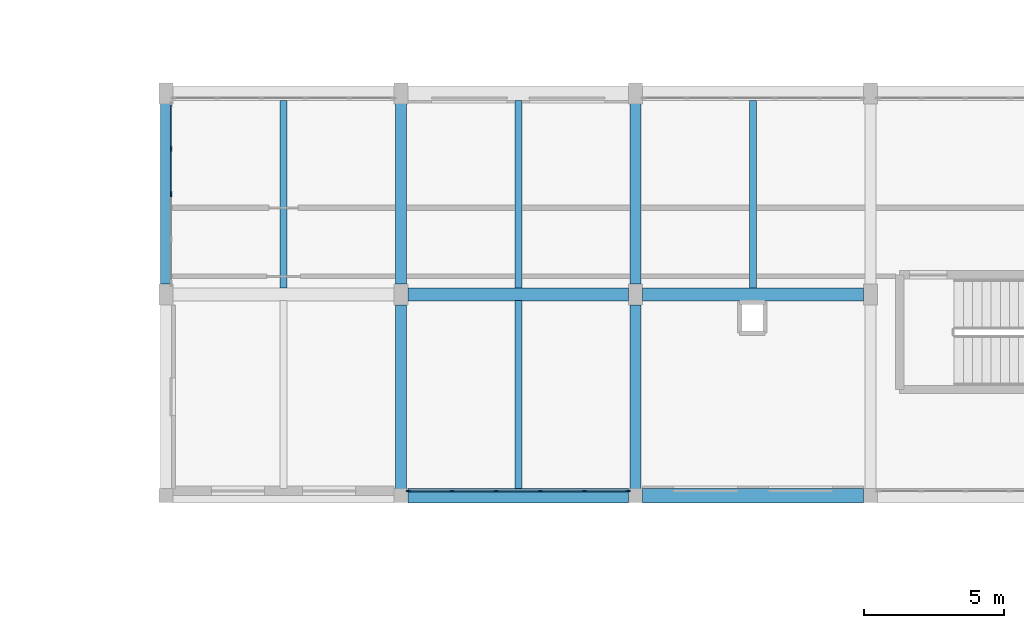
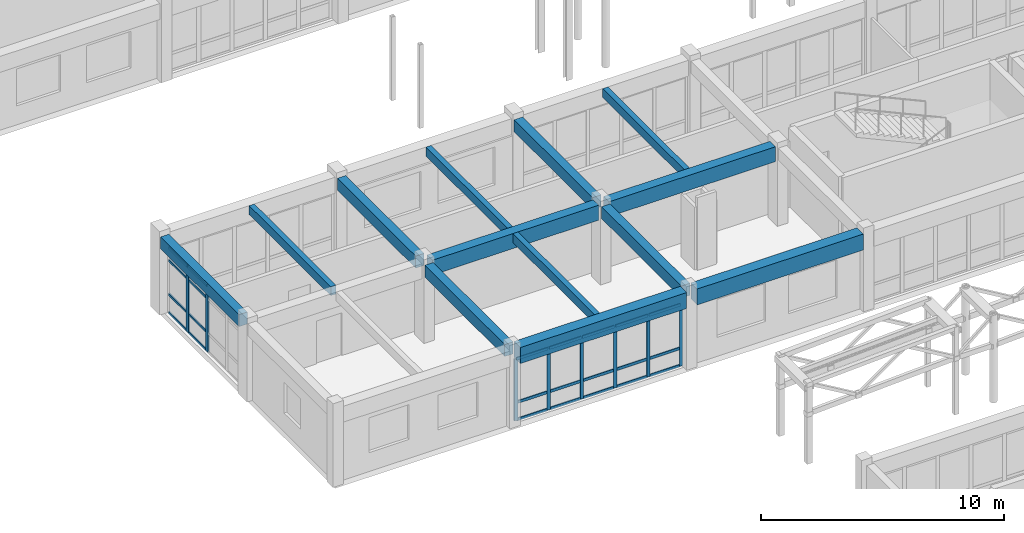
# One storey, part 36 of 147: 31 members, 13 beams, 2 elements without a shape of their own.
"""IFC4 building model written with IfcOpenShell, lengths in metres."""

from ifc_helpers import new_model, si_unit, direction, frame, origin, origin_2d, place, context, subcontext, project, spatial, rectangle, extrude, material, material_profile, profile_set, type_object, element, aggregate, save


model = new_model("IFC4")

# Units and contexts
model_context = context("Model", 3, precision=1e-05, world=origin(), true_north=direction((0.0, 1.0)))
body_context = subcontext(model_context, "Body", "Model", "MODEL_VIEW")
ifc_project = project(units=[si_unit("LENGTHUNIT", "METRE"), si_unit("AREAUNIT", "SQUARE_METRE"), si_unit("VOLUMEUNIT", "CUBIC_METRE"), si_unit("PLANEANGLEUNIT", "RADIAN"), si_unit("MASSUNIT", "GRAM", prefix="KILO")], contexts=[model_context])

# Site, building, storey
site_placement = place(None, origin())
site = spatial("IfcSite", under=ifc_project, at=site_placement, CompositionType="ELEMENT")
building_placement = place(site_placement, origin())
building = spatial("IfcBuilding", under=site, at=building_placement, Name="Malvenik Polytechnic", CompositionType="ELEMENT")
storey_placement = place(building_placement, frame((0.0, 0.0, 5.10009765625)))
storey = spatial("IfcBuildingStorey", under=building, at=storey_placement, Name="L01", CompositionType="ELEMENT", Elevation=5.10009765625)

# Curtain wall, members
ifc_material_1 = material(Name="Anodised aluminium 6060-T6", Category="aluminium")
curtain_wall_type_1 = type_object("IfcCurtainWallType", Name="ARC-CW-CW-02", PredefinedType="NOTDEFINED", material=ifc_material_1)
curtain_wall_1_placement = place(storey_placement, origin())
curtain_wall_1 = element("IfcCurtainWall", 1, at=curtain_wall_1_placement, inside=storey, type_object=curtain_wall_type_1, Name="Unitised Curtain Wall CW-02 L01 #122", PredefinedType="NOTDEFINED")
ifc_material_2 = material(Name="Anodised aluminium", Category="aluminium")
ifc_material_profile_1 = material_profile(ifc_material_2, rectangle(XDim=0.06005859375, YDim=0.159912109375, at=origin_2d()), Name="ALU MULLION 60x160")
ifc_profile_set_1 = profile_set([ifc_material_profile_1], Name="Anodised aluminium")
member_type_1 = type_object("IfcMemberType", Name="ARC-CWM-160", PredefinedType="MULLION", material=ifc_profile_set_1)
member_1_placement = place(storey_placement, frame((24.922119140625, 50.570068359375, 0.0), z_axis=(0.0, 0.0, 1.0), x_axis=(0.0, -1.0, 0.0)))
member_1 = element("IfcMember", 2, at=member_1_placement, type_object=member_type_1, Name="CW-02 mullion 1", PredefinedType="MULLION", context=body_context, shape_type="SweptSolid", body=[
    extrude(rectangle(XDim=0.06005859375, YDim=0.159912109375, at=origin_2d()), origin(), (0.0, 0.0, 1.0), 3.10986328125),
])
member_2_placement = place(storey_placement, frame((23.37109375, 50.570068359375, 0.0), z_axis=(0.0, 0.0, 1.0), x_axis=(0.0, -1.0, 0.0)))
member_2 = element("IfcMember", 3, at=member_2_placement, type_object=member_type_1, Name="CW-02 mullion 2", PredefinedType="MULLION", context=body_context, shape_type="SweptSolid", body=[
    extrude(rectangle(XDim=0.06005859375, YDim=0.159912109375, at=origin_2d()), origin(), (0.0, 0.0, 1.0), 3.10986328125),
])
member_3_placement = place(storey_placement, frame((21.790283203125, 50.570068359375, 0.0), z_axis=(0.0, 0.0, 1.0), x_axis=(0.0, -1.0, 0.0)))
member_3 = element("IfcMember", 4, at=member_3_placement, type_object=member_type_1, Name="CW-02 mullion 3", PredefinedType="MULLION", context=body_context, shape_type="SweptSolid", body=[
    extrude(rectangle(XDim=0.06005859375, YDim=0.159912109375, at=origin_2d()), origin(), (0.0, 0.0, 1.0), 3.10986328125),
])
member_4_placement = place(storey_placement, frame((20.209716796875, 50.570068359375, 0.0), z_axis=(0.0, 0.0, 1.0), x_axis=(0.0, -1.0, 0.0)))
member_4 = element("IfcMember", 5, at=member_4_placement, type_object=member_type_1, Name="CW-02 mullion 4", PredefinedType="MULLION", context=body_context, shape_type="SweptSolid", body=[
    extrude(rectangle(XDim=0.06005859375, YDim=0.159912109375, at=origin_2d()), origin(), (0.0, 0.0, 1.0), 3.10986328125),
])
member_5_placement = place(storey_placement, frame((18.62890625, 50.570068359375, 0.0), z_axis=(0.0, 0.0, 1.0), x_axis=(0.0, -1.0, 0.0)))
member_5 = element("IfcMember", 6, at=member_5_placement, type_object=member_type_1, Name="CW-02 mullion 5", PredefinedType="MULLION", context=body_context, shape_type="SweptSolid", body=[
    extrude(rectangle(XDim=0.06005859375, YDim=0.159912109375, at=origin_2d()), origin(), (0.0, 0.0, 1.0), 3.10986328125),
])
member_6_placement = place(storey_placement, frame((17.077880859375, 50.570068359375, 0.0), z_axis=(0.0, 0.0, 1.0), x_axis=(0.0, -1.0, 0.0)))
member_6 = element("IfcMember", 7, at=member_6_placement, type_object=member_type_1, Name="CW-02 mullion 6", PredefinedType="MULLION", context=body_context, shape_type="SweptSolid", body=[
    extrude(rectangle(XDim=0.06005859375, YDim=0.159912109375, at=origin_2d()), origin(), (0.0, 0.0, 1.0), 3.10986328125),
])

curtain_wall_type_2 = type_object("IfcCurtainWallType", Name="ARC-CW-CW-05", PredefinedType="NOTDEFINED", material=ifc_material_1)
curtain_wall_2_placement = place(storey_placement, origin())
curtain_wall_2 = element("IfcCurtainWall", 8, at=curtain_wall_2_placement, inside=storey, type_object=curtain_wall_type_2, Name="Unitised Curtain Wall CW-05 L01 #123", PredefinedType="NOTDEFINED")
ifc_material_profile_2 = material_profile(ifc_material_2, rectangle(XDim=0.06005859375, YDim=0.199951171875, at=origin_2d()), Name="ALU MULLION 60x200")
ifc_profile_set_2 = profile_set([ifc_material_profile_2], Name="Anodised aluminium")
member_type_2 = type_object("IfcMemberType", Name="ARC-CWM-200", PredefinedType="MULLION", material=ifc_profile_set_2)
member_7_placement = place(storey_placement, frame((8.570068359375, 61.199951171875, 0.0), z_axis=(0.0, 0.0, 1.0), x_axis=(-1.0, 0.0, 0.0)))
member_7 = element("IfcMember", 9, at=member_7_placement, type_object=member_type_2, Name="CW-05 mullion 3", PredefinedType="MULLION", context=body_context, shape_type="SweptSolid", body=[
    extrude(rectangle(XDim=0.06005859375, YDim=0.199951171875, at=origin_2d()), origin(), (0.0, 0.0, 1.0), 3.309814453125),
])
member_8_placement = place(storey_placement, frame((8.570068359375, 62.8134765625, 0.0), z_axis=(0.0, 0.0, 1.0), x_axis=(-1.0, 0.0, 0.0)))
member_8 = element("IfcMember", 10, at=member_8_placement, type_object=member_type_2, Name="CW-05 mullion 4", PredefinedType="MULLION", context=body_context, shape_type="SweptSolid", body=[
    extrude(rectangle(XDim=0.06005859375, YDim=0.199951171875, at=origin_2d()), origin(), (0.0, 0.0, 1.0), 3.309814453125),
])
ifc_material_profile_3 = material_profile(ifc_material_2, rectangle(XDim=0.06005859375, YDim=0.1201171875, at=origin_2d()), Name="ALU TRANSOM 60x120")
ifc_profile_set_3 = profile_set([ifc_material_profile_3], Name="Anodised aluminium")
member_type_3 = type_object("IfcMemberType", Name="ARC-CWT-120", PredefinedType="USERDEFINED", material=ifc_profile_set_3)
member_9_placement = place(storey_placement, frame((8.570068359375, 61.22998046875, 0.02978515625), z_axis=(0.0, 1.0, 0.0), x_axis=(-1.0, 0.0, 0.0)))
member_9 = element("IfcMember", 11, at=member_9_placement, type_object=member_type_3, Name="CW-05 transom 3.1", ObjectType="TRANSOM", PredefinedType="USERDEFINED", context=body_context, shape_type="SweptSolid", body=[
    extrude(rectangle(XDim=0.06005859375, YDim=0.1201171875, at=origin_2d()), origin(), (0.0, 0.0, 1.0), 1.553466796875),
])
member_10_placement = place(storey_placement, frame((8.570068359375, 61.22998046875, 0.949951171875), z_axis=(0.0, 1.0, 0.0), x_axis=(-1.0, 0.0, 0.0)))
member_10 = element("IfcMember", 12, at=member_10_placement, type_object=member_type_3, Name="CW-05 transom 3.2", ObjectType="TRANSOM", PredefinedType="USERDEFINED", context=body_context, shape_type="SweptSolid", body=[
    extrude(rectangle(XDim=0.06005859375, YDim=0.1201171875, at=origin_2d()), origin(), (0.0, 0.0, 1.0), 1.553466796875),
])
member_11_placement = place(storey_placement, frame((8.570068359375, 61.22998046875, 2.659912109375), z_axis=(0.0, 1.0, 0.0), x_axis=(-1.0, 0.0, 0.0)))
member_11 = element("IfcMember", 13, at=member_11_placement, type_object=member_type_3, Name="CW-05 transom 3.3", ObjectType="TRANSOM", PredefinedType="USERDEFINED", context=body_context, shape_type="SweptSolid", body=[
    extrude(rectangle(XDim=0.06005859375, YDim=0.1201171875, at=origin_2d()), origin(), (0.0, 0.0, 1.0), 1.553466796875),
])
member_12_placement = place(storey_placement, frame((8.570068359375, 61.22998046875, 3.27978515625), z_axis=(0.0, 1.0, 0.0), x_axis=(-1.0, 0.0, 0.0)))
member_12 = element("IfcMember", 14, at=member_12_placement, type_object=member_type_3, Name="CW-05 transom 3.4", ObjectType="TRANSOM", PredefinedType="USERDEFINED", context=body_context, shape_type="SweptSolid", body=[
    extrude(rectangle(XDim=0.06005859375, YDim=0.1201171875, at=origin_2d()), origin(), (0.0, 0.0, 1.0), 1.553466796875),
])
member_13_placement = place(storey_placement, frame((8.570068359375, 62.843505859375, 0.02978515625), z_axis=(0.0, 1.0, 0.0), x_axis=(-1.0, 0.0, 0.0)))
member_13 = element("IfcMember", 15, at=member_13_placement, type_object=member_type_3, Name="CW-05 transom 4.1", ObjectType="TRANSOM", PredefinedType="USERDEFINED", context=body_context, shape_type="SweptSolid", body=[
    extrude(rectangle(XDim=0.06005859375, YDim=0.1201171875, at=origin_2d()), origin(), (0.0, 0.0, 1.0), 1.5234375),
])
member_14_placement = place(storey_placement, frame((8.570068359375, 62.843505859375, 0.949951171875), z_axis=(0.0, 1.0, 0.0), x_axis=(-1.0, 0.0, 0.0)))
member_14 = element("IfcMember", 16, at=member_14_placement, type_object=member_type_3, Name="CW-05 transom 4.2", ObjectType="TRANSOM", PredefinedType="USERDEFINED", context=body_context, shape_type="SweptSolid", body=[
    extrude(rectangle(XDim=0.06005859375, YDim=0.1201171875, at=origin_2d()), origin(), (0.0, 0.0, 1.0), 1.5234375),
])
member_15_placement = place(storey_placement, frame((8.570068359375, 62.843505859375, 2.659912109375), z_axis=(0.0, 1.0, 0.0), x_axis=(-1.0, 0.0, 0.0)))
member_15 = element("IfcMember", 17, at=member_15_placement, type_object=member_type_3, Name="CW-05 transom 4.3", ObjectType="TRANSOM", PredefinedType="USERDEFINED", context=body_context, shape_type="SweptSolid", body=[
    extrude(rectangle(XDim=0.06005859375, YDim=0.1201171875, at=origin_2d()), origin(), (0.0, 0.0, 1.0), 1.5234375),
])
member_16_placement = place(storey_placement, frame((8.570068359375, 62.843505859375, 3.27978515625), z_axis=(0.0, 1.0, 0.0), x_axis=(-1.0, 0.0, 0.0)))
member_16 = element("IfcMember", 18, at=member_16_placement, type_object=member_type_3, Name="CW-05 transom 4.4", ObjectType="TRANSOM", PredefinedType="USERDEFINED", context=body_context, shape_type="SweptSolid", body=[
    extrude(rectangle(XDim=0.06005859375, YDim=0.1201171875, at=origin_2d()), origin(), (0.0, 0.0, 1.0), 1.5234375),
])
aggregate(curtain_wall_2, [member_7, member_8, member_9, member_10, member_11, member_12, member_13, member_14, member_15, member_16])

# Member
ifc_material_profile_4 = material_profile(ifc_material_2, rectangle(XDim=0.06005859375, YDim=0.139892578125, at=origin_2d()), Name="ALU TRANSOM 60x140")
ifc_profile_set_4 = profile_set([ifc_material_profile_4], Name="Anodised aluminium")
member_type_4 = type_object("IfcMemberType", Name="ARC-CWT-140", PredefinedType="USERDEFINED", material=ifc_profile_set_4)
member_17_placement = place(storey_placement, frame((24.89208984375, 50.570068359375, 0.02978515625), z_axis=(-1.0, 0.0, 0.0), x_axis=(0.0, -1.0, 0.0)))
member_17 = element("IfcMember", 19, at=member_17_placement, type_object=member_type_4, Name="CW-02 transom 1.1", ObjectType="TRANSOM", PredefinedType="USERDEFINED", context=body_context, shape_type="SweptSolid", body=[
    extrude(rectangle(XDim=0.06005859375, YDim=0.139892578125, at=origin_2d()), origin(), (0.0, 0.0, 1.0), 1.490966796875),
])

member_18_placement = place(storey_placement, frame((24.89208984375, 50.570068359375, 0.89990234375), z_axis=(-1.0, 0.0, 0.0), x_axis=(0.0, -1.0, 0.0)))
member_18 = element("IfcMember", 20, at=member_18_placement, type_object=member_type_4, Name="CW-02 transom 1.2", ObjectType="TRANSOM", PredefinedType="USERDEFINED", context=body_context, shape_type="SweptSolid", body=[
    extrude(rectangle(XDim=0.06005859375, YDim=0.139892578125, at=origin_2d()), origin(), (0.0, 0.0, 1.0), 1.490966796875),
])

member_19_placement = place(storey_placement, frame((24.89208984375, 50.570068359375, 3.079833984375), z_axis=(-1.0, 0.0, 0.0), x_axis=(0.0, -1.0, 0.0)))
member_19 = element("IfcMember", 21, at=member_19_placement, type_object=member_type_4, Name="CW-02 transom 1.3", ObjectType="TRANSOM", PredefinedType="USERDEFINED", context=body_context, shape_type="SweptSolid", body=[
    extrude(rectangle(XDim=0.06005859375, YDim=0.139892578125, at=origin_2d()), origin(), (0.0, 0.0, 1.0), 1.490966796875),
])

member_20_placement = place(storey_placement, frame((23.34130859375, 50.570068359375, 0.02978515625), z_axis=(-1.0, 0.0, 0.0), x_axis=(0.0, -1.0, 0.0)))
member_20 = element("IfcMember", 22, at=member_20_placement, type_object=member_type_4, Name="CW-02 transom 2.1", ObjectType="TRANSOM", PredefinedType="USERDEFINED", context=body_context, shape_type="SweptSolid", body=[
    extrude(rectangle(XDim=0.06005859375, YDim=0.139892578125, at=origin_2d()), origin(), (0.0, 0.0, 1.0), 1.52099609375),
])

member_21_placement = place(storey_placement, frame((23.34130859375, 50.570068359375, 0.89990234375), z_axis=(-1.0, 0.0, 0.0), x_axis=(0.0, -1.0, 0.0)))
member_21 = element("IfcMember", 23, at=member_21_placement, type_object=member_type_4, Name="CW-02 transom 2.2", ObjectType="TRANSOM", PredefinedType="USERDEFINED", context=body_context, shape_type="SweptSolid", body=[
    extrude(rectangle(XDim=0.06005859375, YDim=0.139892578125, at=origin_2d()), origin(), (0.0, 0.0, 1.0), 1.52099609375),
])

member_22_placement = place(storey_placement, frame((23.34130859375, 50.570068359375, 3.079833984375), z_axis=(-1.0, 0.0, 0.0), x_axis=(0.0, -1.0, 0.0)))
member_22 = element("IfcMember", 24, at=member_22_placement, type_object=member_type_4, Name="CW-02 transom 2.3", ObjectType="TRANSOM", PredefinedType="USERDEFINED", context=body_context, shape_type="SweptSolid", body=[
    extrude(rectangle(XDim=0.06005859375, YDim=0.139892578125, at=origin_2d()), origin(), (0.0, 0.0, 1.0), 1.52099609375),
])

member_23_placement = place(storey_placement, frame((21.760498046875, 50.570068359375, 0.02978515625), z_axis=(-1.0, 0.0, 0.0), x_axis=(0.0, -1.0, 0.0)))
member_23 = element("IfcMember", 25, at=member_23_placement, type_object=member_type_4, Name="CW-02 transom 3.1", ObjectType="TRANSOM", PredefinedType="USERDEFINED", context=body_context, shape_type="SweptSolid", body=[
    extrude(rectangle(XDim=0.06005859375, YDim=0.139892578125, at=origin_2d()), origin(), (0.0, 0.0, 1.0), 1.52099609375),
])

member_24_placement = place(storey_placement, frame((21.760498046875, 50.570068359375, 0.89990234375), z_axis=(-1.0, 0.0, 0.0), x_axis=(0.0, -1.0, 0.0)))
member_24 = element("IfcMember", 26, at=member_24_placement, type_object=member_type_4, Name="CW-02 transom 3.2", ObjectType="TRANSOM", PredefinedType="USERDEFINED", context=body_context, shape_type="SweptSolid", body=[
    extrude(rectangle(XDim=0.06005859375, YDim=0.139892578125, at=origin_2d()), origin(), (0.0, 0.0, 1.0), 1.52099609375),
])

member_25_placement = place(storey_placement, frame((21.760498046875, 50.570068359375, 3.079833984375), z_axis=(-1.0, 0.0, 0.0), x_axis=(0.0, -1.0, 0.0)))
member_25 = element("IfcMember", 27, at=member_25_placement, type_object=member_type_4, Name="CW-02 transom 3.3", ObjectType="TRANSOM", PredefinedType="USERDEFINED", context=body_context, shape_type="SweptSolid", body=[
    extrude(rectangle(XDim=0.06005859375, YDim=0.139892578125, at=origin_2d()), origin(), (0.0, 0.0, 1.0), 1.52099609375),
])

member_26_placement = place(storey_placement, frame((20.1796875, 50.570068359375, 0.02978515625), z_axis=(-1.0, 0.0, 0.0), x_axis=(0.0, -1.0, 0.0)))
member_26 = element("IfcMember", 28, at=member_26_placement, type_object=member_type_4, Name="CW-02 transom 4.1", ObjectType="TRANSOM", PredefinedType="USERDEFINED", context=body_context, shape_type="SweptSolid", body=[
    extrude(rectangle(XDim=0.06005859375, YDim=0.139892578125, at=origin_2d()), origin(), (0.0, 0.0, 1.0), 1.52099609375),
])

member_27_placement = place(storey_placement, frame((20.1796875, 50.570068359375, 0.89990234375), z_axis=(-1.0, 0.0, 0.0), x_axis=(0.0, -1.0, 0.0)))
member_27 = element("IfcMember", 29, at=member_27_placement, type_object=member_type_4, Name="CW-02 transom 4.2", ObjectType="TRANSOM", PredefinedType="USERDEFINED", context=body_context, shape_type="SweptSolid", body=[
    extrude(rectangle(XDim=0.06005859375, YDim=0.139892578125, at=origin_2d()), origin(), (0.0, 0.0, 1.0), 1.52099609375),
])

member_28_placement = place(storey_placement, frame((20.1796875, 50.570068359375, 3.079833984375), z_axis=(-1.0, 0.0, 0.0), x_axis=(0.0, -1.0, 0.0)))
member_28 = element("IfcMember", 30, at=member_28_placement, type_object=member_type_4, Name="CW-02 transom 4.3", ObjectType="TRANSOM", PredefinedType="USERDEFINED", context=body_context, shape_type="SweptSolid", body=[
    extrude(rectangle(XDim=0.06005859375, YDim=0.139892578125, at=origin_2d()), origin(), (0.0, 0.0, 1.0), 1.52099609375),
])

member_29_placement = place(storey_placement, frame((18.598876953125, 50.570068359375, 0.02978515625), z_axis=(-1.0, 0.0, 0.0), x_axis=(0.0, -1.0, 0.0)))
member_29 = element("IfcMember", 31, at=member_29_placement, type_object=member_type_4, Name="CW-02 transom 5.1", ObjectType="TRANSOM", PredefinedType="USERDEFINED", context=body_context, shape_type="SweptSolid", body=[
    extrude(rectangle(XDim=0.06005859375, YDim=0.139892578125, at=origin_2d()), origin(), (0.0, 0.0, 1.0), 1.490966796875),
])

member_30_placement = place(storey_placement, frame((18.598876953125, 50.570068359375, 0.89990234375), z_axis=(-1.0, 0.0, 0.0), x_axis=(0.0, -1.0, 0.0)))
member_30 = element("IfcMember", 32, at=member_30_placement, type_object=member_type_4, Name="CW-02 transom 5.2", ObjectType="TRANSOM", PredefinedType="USERDEFINED", context=body_context, shape_type="SweptSolid", body=[
    extrude(rectangle(XDim=0.06005859375, YDim=0.139892578125, at=origin_2d()), origin(), (0.0, 0.0, 1.0), 1.490966796875),
])

member_31_placement = place(storey_placement, frame((18.598876953125, 50.570068359375, 3.079833984375), z_axis=(-1.0, 0.0, 0.0), x_axis=(0.0, -1.0, 0.0)))
member_31 = element("IfcMember", 33, at=member_31_placement, type_object=member_type_4, Name="CW-02 transom 5.3", ObjectType="TRANSOM", PredefinedType="USERDEFINED", context=body_context, shape_type="SweptSolid", body=[
    extrude(rectangle(XDim=0.06005859375, YDim=0.139892578125, at=origin_2d()), origin(), (0.0, 0.0, 1.0), 1.490966796875),
])

aggregate(curtain_wall_1, [member_1, member_2, member_3, member_4, member_5, member_6, member_17, member_18, member_19, member_20, member_21, member_22, member_23, member_24, member_25, member_26, member_27, member_28, member_29, member_30, member_31])

# Beams
ifc_material_3 = material(Name="Concrete C35/45", Category="concrete")
ifc_material_profile_5 = material_profile(ifc_material_3, rectangle(XDim=0.449951171875, YDim=0.75, at=origin_2d()), Name="RC BM 450x750")
ifc_profile_set_5 = profile_set([ifc_material_profile_5], Name="Concrete C35/45")
beam_type_1 = type_object("IfcBeamType", Name="STR-BM-B-03", PredefinedType="BEAM", material=ifc_profile_set_5)
beam_1_placement = place(storey_placement, frame((17.048095703125, 57.60009765625, 3.544921875), z_axis=(1.0, 0.0, 0.0), x_axis=(0.0, 1.0, 0.0)))
element("IfcBeam", 34, at=beam_1_placement, inside=storey, type_object=beam_type_1, Name="Primary Beam B-03 L01 #1016", PredefinedType="BEAM", context=body_context, shape_type="SweptSolid", body=[
    extrude(rectangle(XDim=0.449951171875, YDim=0.75, at=origin_2d()), origin(), (0.0, 0.0, 1.0), 7.90380859375),
])
beam_2_placement = place(storey_placement, frame((25.447998046875, 57.60009765625, 3.544921875), z_axis=(1.0, 0.0, 0.0), x_axis=(0.0, 1.0, 0.0)))
element("IfcBeam", 35, at=beam_2_placement, inside=storey, type_object=beam_type_1, Name="Primary Beam B-03 L01 #1017", PredefinedType="BEAM", context=body_context, shape_type="SweptSolid", body=[
    extrude(rectangle(XDim=0.449951171875, YDim=0.75, at=origin_2d()), origin(), (0.0, 0.0, 1.0), 7.904052734375),
])
ifc_material_profile_6 = material_profile(ifc_material_3, rectangle(XDim=0.39990234375, YDim=0.60009765625, at=origin_2d()), Name="RC BM 400x600")
ifc_profile_set_6 = profile_set([ifc_material_profile_6], Name="Concrete C35/45")
beam_type_2 = type_object("IfcBeamType", Name="STR-BM-B-06", PredefinedType="BEAM", material=ifc_profile_set_6)
beam_3_placement = place(storey_placement, frame((8.39990234375, 57.972900390625, 3.619873046875), z_axis=(0.0, 1.0, 0.0), x_axis=(-1.0, 0.0, 0.0)))
element("IfcBeam", 36, at=beam_3_placement, inside=storey, type_object=beam_type_2, Name="Transverse Beam B-06 L01 #1132", PredefinedType="BEAM", context=body_context, shape_type="SweptSolid", body=[
    extrude(rectangle(XDim=0.39990234375, YDim=0.60009765625, at=origin_2d()), origin(), (0.0, 0.0, 1.0), 6.4541015625),
])
beam_4_placement = place(storey_placement, frame((16.800048828125, 50.64794921875, 3.619873046875), z_axis=(0.0, 1.0, 0.0), x_axis=(-1.0, 0.0, 0.0)))
element("IfcBeam", 37, at=beam_4_placement, inside=storey, type_object=beam_type_2, Name="Transverse Beam B-06 L01 #1137", PredefinedType="BEAM", context=body_context, shape_type="SweptSolid", body=[
    extrude(rectangle(XDim=0.39990234375, YDim=0.60009765625, at=origin_2d()), origin(), (0.0, 0.0, 1.0), 6.5791015625),
])
beam_5_placement = place(storey_placement, frame((16.800048828125, 57.972900390625, 3.619873046875), z_axis=(0.0, 1.0, 0.0), x_axis=(-1.0, 0.0, 0.0)))
element("IfcBeam", 38, at=beam_5_placement, inside=storey, type_object=beam_type_2, Name="Transverse Beam B-06 L01 #1138", PredefinedType="BEAM", context=body_context, shape_type="SweptSolid", body=[
    extrude(rectangle(XDim=0.39990234375, YDim=0.60009765625, at=origin_2d()), origin(), (0.0, 0.0, 1.0), 6.4541015625),
])
beam_6_placement = place(storey_placement, frame((25.199951171875, 50.64794921875, 3.619873046875), z_axis=(0.0, 1.0, 0.0), x_axis=(-1.0, 0.0, 0.0)))
element("IfcBeam", 39, at=beam_6_placement, inside=storey, type_object=beam_type_2, Name="Transverse Beam B-06 L01 #1139", PredefinedType="BEAM", context=body_context, shape_type="SweptSolid", body=[
    extrude(rectangle(XDim=0.39990234375, YDim=0.60009765625, at=origin_2d()), origin(), (0.0, 0.0, 1.0), 6.5791015625),
])
beam_7_placement = place(storey_placement, frame((25.199951171875, 57.972900390625, 3.619873046875), z_axis=(0.0, 1.0, 0.0), x_axis=(-1.0, 0.0, 0.0)))
element("IfcBeam", 40, at=beam_7_placement, inside=storey, type_object=beam_type_2, Name="Transverse Beam B-06 L01 #1140", PredefinedType="BEAM", context=body_context, shape_type="SweptSolid", body=[
    extrude(rectangle(XDim=0.39990234375, YDim=0.60009765625, at=origin_2d()), origin(), (0.0, 0.0, 1.0), 6.4541015625),
])
ifc_material_4 = material(Name="Concrete C30/37", Category="concrete")
ifc_material_profile_7 = material_profile(ifc_material_4, rectangle(XDim=0.25, YDim=0.449951171875, at=origin_2d()), Name="RC JST 250x450")
ifc_profile_set_7 = profile_set([ifc_material_profile_7], Name="Concrete C30/37")
beam_type_3 = type_object("IfcBeamType", Name="STR-BM-J-02", PredefinedType="JOIST", material=ifc_profile_set_7)
for number, where, z_axis, x_axis, name in (
    (41, (12.60009765625, 57.822998046875, 3.69482421875), (0.0, 1.0, 0.0), (-1.0, 0.0, 0.0), "Secondary Rib Joist J-02 L01 #1255"),
    (42, (21.0, 50.657958984375, 3.69482421875), (0.0, 1.0, 0.0), (-1.0, 0.0, 0.0), "Secondary Rib Joist J-02 L01 #1256"),
    (43, (21.0, 57.822998046875, 3.69482421875), (0.0, 1.0, 0.0), (-1.0, 0.0, 0.0), "Secondary Rib Joist J-02 L01 #1257"),
    (44, (29.39990234375, 57.822998046875, 3.69482421875), (0.0, 1.0, 0.0), (-1.0, 0.0, 0.0), "Secondary Rib Joist J-02 L01 #1258"),
):
    element("IfcBeam", number, at=place(storey_placement, frame(where, z_axis=z_axis, x_axis=x_axis)), inside=storey, type_object=beam_type_3, Name=name, PredefinedType="JOIST", context=body_context, shape_type="SweptSolid", body=[
        extrude(rectangle(XDim=0.25, YDim=0.449951171875, at=origin_2d()), origin(), (0.0, 0.0, 1.0), 6.718994140625),
    ])
ifc_material_5 = material(Name="Precast concrete C40/50", Category="concrete")
ifc_material_profile_8 = material_profile(ifc_material_5, rectangle(XDim=0.52001953125, YDim=0.800048828125, at=origin_2d()), Name="PC SPN 520x800")
ifc_profile_set_8 = profile_set([ifc_material_profile_8], Name="Precast concrete C40/50")
beam_type_4 = type_object("IfcBeamType", Name="STR-BM-SP-01", PredefinedType="SPANDREL", material=ifc_profile_set_8)
beam_8_placement = place(storey_placement, frame((17.048095703125, 50.39990234375, 3.52001953125), z_axis=(1.0, 0.0, 0.0), x_axis=(0.0, 1.0, 0.0)))
element("IfcBeam", 45, at=beam_8_placement, inside=storey, type_object=beam_type_4, Name="Primary Beam SP-01 L01 #1001", PredefinedType="SPANDREL", context=body_context, shape_type="SweptSolid", body=[
    extrude(rectangle(XDim=0.52001953125, YDim=0.800048828125, at=origin_2d()), origin(), (0.0, 0.0, 1.0), 7.90380859375),
])
beam_9_placement = place(storey_placement, frame((25.447998046875, 50.39990234375, 3.52001953125), z_axis=(1.0, 0.0, 0.0), x_axis=(0.0, 1.0, 0.0)))
element("IfcBeam", 46, at=beam_9_placement, inside=storey, type_object=beam_type_4, Name="Primary Beam SP-01 L01 #1002", PredefinedType="SPANDREL", context=body_context, shape_type="SweptSolid", body=[
    extrude(rectangle(XDim=0.52001953125, YDim=0.800048828125, at=origin_2d()), origin(), (0.0, 0.0, 1.0), 7.904052734375),
])

save(model, "model.ifc")
